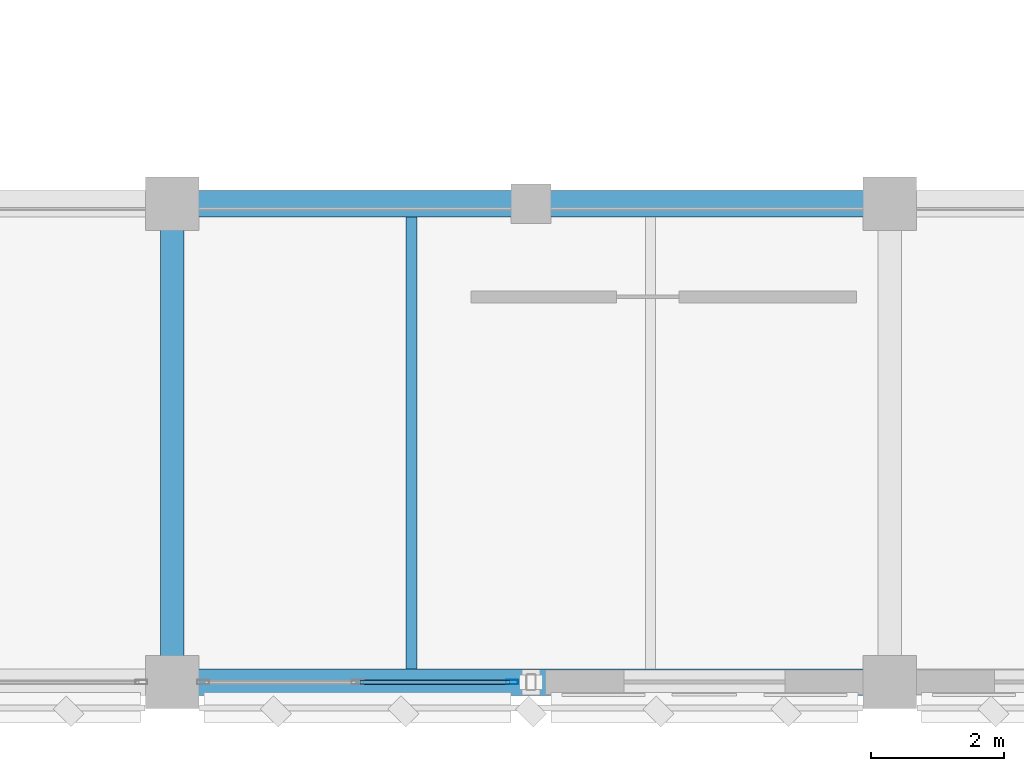
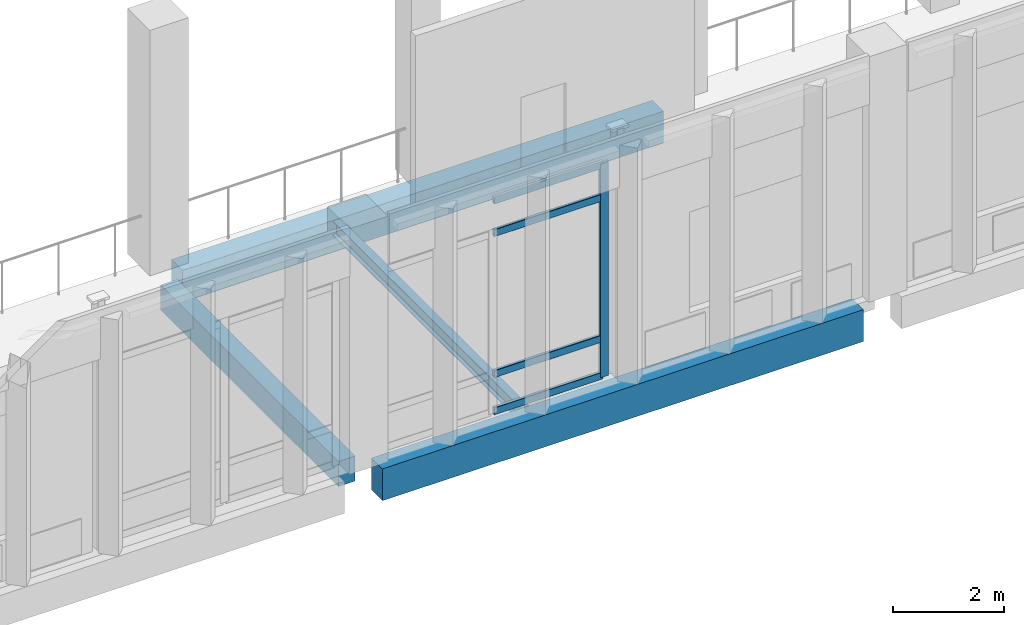
# One storey, part 16 of 180: 5 members, 4 beams, 1 element without a shape of its own.
"""IFC4 building model written with IfcOpenShell, lengths in metres."""

from ifc_helpers import new_model, si_unit, direction, frame, origin, origin_2d, place, context, subcontext, project, spatial, rectangle, hollow_rectangle, i_section, extrude, material, material_profile, profile_set, type_object, element, aggregate, save


model = new_model("IFC4")

# Units and contexts
model_context = context("Model", 3, precision=1e-05, world=origin(), true_north=direction((0.0, 1.0)))
body_context = subcontext(model_context, "Body", "Model", "MODEL_VIEW")
ifc_project = project(units=[si_unit("LENGTHUNIT", "METRE"), si_unit("AREAUNIT", "SQUARE_METRE"), si_unit("VOLUMEUNIT", "CUBIC_METRE"), si_unit("PLANEANGLEUNIT", "RADIAN"), si_unit("MASSUNIT", "GRAM", prefix="KILO")], contexts=[model_context])

# Site, building, storey
site_placement = place(None, origin())
site = spatial("IfcSite", under=ifc_project, at=site_placement, CompositionType="ELEMENT")
building_placement = place(site_placement, origin())
building = spatial("IfcBuilding", under=site, at=building_placement, Name="Lusvemor Sports Hall", CompositionType="ELEMENT")
storey_placement = place(building_placement, frame((0.0, 0.0, 5.39990234375)))
storey = spatial("IfcBuildingStorey", under=building, at=storey_placement, Name="L01", CompositionType="ELEMENT", Elevation=5.39990234375)

# Beam
ifc_material_1 = material(Name="Concrete C40/50", Category="concrete")
ifc_material_profile_1 = material_profile(ifc_material_1, rectangle(XDim=0.35009765625, YDim=0.550048828125, at=origin_2d()), Name="RC350x550")
ifc_profile_set_1 = profile_set([ifc_material_profile_1], Name="Concrete C40/50")
beam_type_1 = type_object("IfcBeamType", Name="BEAM_RC_550", PredefinedType="BEAM", material=ifc_profile_set_1)
beam_1_placement = place(storey_placement, frame((54.0, 0.39599609375, -0.554931640625), z_axis=(0.0, 1.0, 0.0), x_axis=(-1.0, 0.0, 0.0)))
element("IfcBeam", 1, at=beam_1_placement, inside=storey, type_object=beam_type_1, Name="Beam L01 6:A-B", PredefinedType="BEAM", context=body_context, shape_type="SweptSolid", body=[
    extrude(rectangle(XDim=0.35009765625, YDim=0.550048828125, at=origin_2d()), origin(), (0.0, 0.0, 1.0), 6.407958984375),
])

# Curtain wall, members
ifc_material_2 = material(Name="Thermally broken bronze-anodized aluminium", Category="aluminium")
curtain_wall_type = type_object("IfcCurtainWallType", Name="CW_COURT_C", PredefinedType="NOTDEFINED", material=ifc_material_2)
curtain_wall_placement = place(storey_placement, origin())
curtain_wall = element("IfcCurtainWall", 2, at=curtain_wall_placement, inside=storey, type_object=curtain_wall_type, Name="Curtain Wall CW-V1S-L01-5-1", PredefinedType="NOTDEFINED")
ifc_material_3 = material(Name="Thermally broken bronze-anodized aluminium", Category="aluminium")
ifc_material_profile_2 = material_profile(ifc_material_3, hollow_rectangle(XDim=0.070068359375, YDim=0.179931640625, WallThickness=0.0048828125, InnerFilletRadius=0.0048828125, OuterFilletRadius=0.010009765625, at=origin_2d()), Name="CWMUL180x70x5")
ifc_profile_set_2 = profile_set([ifc_material_profile_2], Name="Thermally broken bronze-anodized aluminium")
member_type_1 = type_object("IfcMemberType", Name="CW_MUL_A", PredefinedType="MULLION", material=ifc_profile_set_2)
member_1_placement = place(storey_placement, frame((59.114990234375, 0.0, 0.0), z_axis=(0.0, 0.0, 1.0), x_axis=(0.0, -1.0, 0.0)))
member_1 = element("IfcMember", 3, at=member_1_placement, type_object=member_type_1, Name="CW03 mullion 1", PredefinedType="MULLION", context=body_context, shape_type="SweptSolid", body=[
    extrude(hollow_rectangle(XDim=0.070068359375, YDim=0.179931640625, WallThickness=0.0048828125, InnerFilletRadius=0.0048828125, OuterFilletRadius=0.010009765625, at=origin_2d()), origin(), (0.0, 0.0, 1.0), 4.7001953125),
])
ifc_material_4 = material(Name="Thermally broken bronze-anodized aluminium", Category="aluminium")
ifc_material_profile_3 = material_profile(ifc_material_4, hollow_rectangle(XDim=0.06494140625, YDim=0.159912109375, WallThickness=0.00390625, InnerFilletRadius=0.00390625, OuterFilletRadius=0.008056640625, at=origin_2d()), Name="CWTRN160x65x4")
ifc_profile_set_3 = profile_set([ifc_material_profile_3], Name="Thermally broken bronze-anodized aluminium")
member_type_2 = type_object("IfcMemberType", Name="CW_TRN_A", PredefinedType="USERDEFINED", material=ifc_profile_set_3)
member_2_placement = place(storey_placement, frame((59.080078125, 0.0, 0.03271484375), z_axis=(-1.0, 0.0, 0.0), x_axis=(0.0, -1.0, 0.0)))
member_2 = element("IfcMember", 4, at=member_2_placement, type_object=member_type_2, Name="CW03 transom 1.1", ObjectType="TRANSOM", PredefinedType="USERDEFINED", context=body_context, shape_type="SweptSolid", body=[
    extrude(hollow_rectangle(XDim=0.06494140625, YDim=0.159912109375, WallThickness=0.00390625, InnerFilletRadius=0.00390625, OuterFilletRadius=0.008056640625, at=origin_2d()), origin(), (0.0, 0.0, 1.0), 2.255126953125),
])
member_3_placement = place(storey_placement, frame((59.080078125, 0.0, 0.85009765625), z_axis=(-1.0, 0.0, 0.0), x_axis=(0.0, -1.0, 0.0)))
member_3 = element("IfcMember", 5, at=member_3_placement, type_object=member_type_2, Name="CW03 transom 1.2", ObjectType="TRANSOM", PredefinedType="USERDEFINED", context=body_context, shape_type="SweptSolid", body=[
    extrude(hollow_rectangle(XDim=0.06494140625, YDim=0.159912109375, WallThickness=0.00390625, InnerFilletRadius=0.00390625, OuterFilletRadius=0.008056640625, at=origin_2d()), origin(), (0.0, 0.0, 1.0), 2.255126953125),
])
member_4_placement = place(storey_placement, frame((59.080078125, 0.0, 3.9501953125), z_axis=(-1.0, 0.0, 0.0), x_axis=(0.0, -1.0, 0.0)))
member_4 = element("IfcMember", 6, at=member_4_placement, type_object=member_type_2, Name="CW03 transom 1.3", ObjectType="TRANSOM", PredefinedType="USERDEFINED", context=body_context, shape_type="SweptSolid", body=[
    extrude(hollow_rectangle(XDim=0.06494140625, YDim=0.159912109375, WallThickness=0.00390625, InnerFilletRadius=0.00390625, OuterFilletRadius=0.008056640625, at=origin_2d()), origin(), (0.0, 0.0, 1.0), 2.255126953125),
])
member_5_placement = place(storey_placement, frame((59.080078125, 0.0, 4.66748046875), z_axis=(-1.0, 0.0, 0.0), x_axis=(0.0, -1.0, 0.0)))
member_5 = element("IfcMember", 7, at=member_5_placement, type_object=member_type_2, Name="CW03 transom 1.4", ObjectType="TRANSOM", PredefinedType="USERDEFINED", context=body_context, shape_type="SweptSolid", body=[
    extrude(hollow_rectangle(XDim=0.06494140625, YDim=0.159912109375, WallThickness=0.00390625, InnerFilletRadius=0.00390625, OuterFilletRadius=0.008056640625, at=origin_2d()), origin(), (0.0, 0.0, 1.0), 2.255126953125),
])
aggregate(curtain_wall, [member_1, member_2, member_3, member_4, member_5])

# Beams
ifc_material_5 = material(Name="Steel S355", Category="steel")
ifc_material_profile_4 = material_profile(ifc_material_5, i_section(OverallWidth=0.1669921875, OverallDepth=0.31689453125, WebThickness=0.007568359375, FlangeThickness=0.01318359375, FilletRadius=0.014892578125, at=origin_2d()), Name="W310x52.0")
ifc_profile_set_4 = profile_set([ifc_material_profile_4], Name="Steel S355")
beam_type_2 = type_object("IfcBeamType", Name="JOIST_ST_310M", PredefinedType="JOIST", material=ifc_profile_set_4)
beam_2_placement = place(storey_placement, frame((57.60009765625, 0.196044921875, -0.4423828125), z_axis=(0.0, 1.0, 0.0), x_axis=(-1.0, 0.0, 0.0)))
element("IfcBeam", 8, at=beam_2_placement, inside=storey, type_object=beam_type_2, Name="Secondary Joist L01 6-7/A-B #1", PredefinedType="JOIST", context=body_context, shape_type="SweptSolid", body=[
    extrude(i_section(OverallWidth=0.1669921875, OverallDepth=0.31689453125, WebThickness=0.007568359375, FlangeThickness=0.01318359375, FilletRadius=0.014892578125, at=origin_2d()), origin(), (0.0, 0.0, 1.0), 6.807861328125),
])
ifc_material_6 = material(Name="Concrete C40/50", Category="concrete")
ifc_material_profile_5 = material_profile(ifc_material_6, rectangle(XDim=0.39990234375, YDim=0.699951171875, at=origin_2d()), Name="RC400x700")
ifc_profile_set_5 = profile_set([ifc_material_profile_5], Name="Concrete C40/50")
beam_type_3 = type_object("IfcBeamType", Name="SPAND_EXT_700", PredefinedType="SPANDREL", material=ifc_profile_set_5)
for number, where, z_axis, x_axis, name in (
    (9, (54.39599609375, 0.0, -0.6298828125), (1.0, 0.0, 0.0), (0.0, 1.0, 0.0), "Beam L01 A:6-7"),
    (10, (54.39599609375, 7.199951171875, -0.6298828125), (1.0, 0.0, 0.0), (0.0, 1.0, 0.0), "Beam L01 B:6-7"),
):
    element("IfcBeam", number, at=place(storey_placement, frame(where, z_axis=z_axis, x_axis=x_axis)), inside=storey, type_object=beam_type_3, Name=name, PredefinedType="SPANDREL", context=body_context, shape_type="SweptSolid", body=[
        extrude(rectangle(XDim=0.39990234375, YDim=0.699951171875, at=origin_2d()), origin(), (0.0, 0.0, 1.0), 10.008056640625),
    ])

save(model, "model.ifc")
